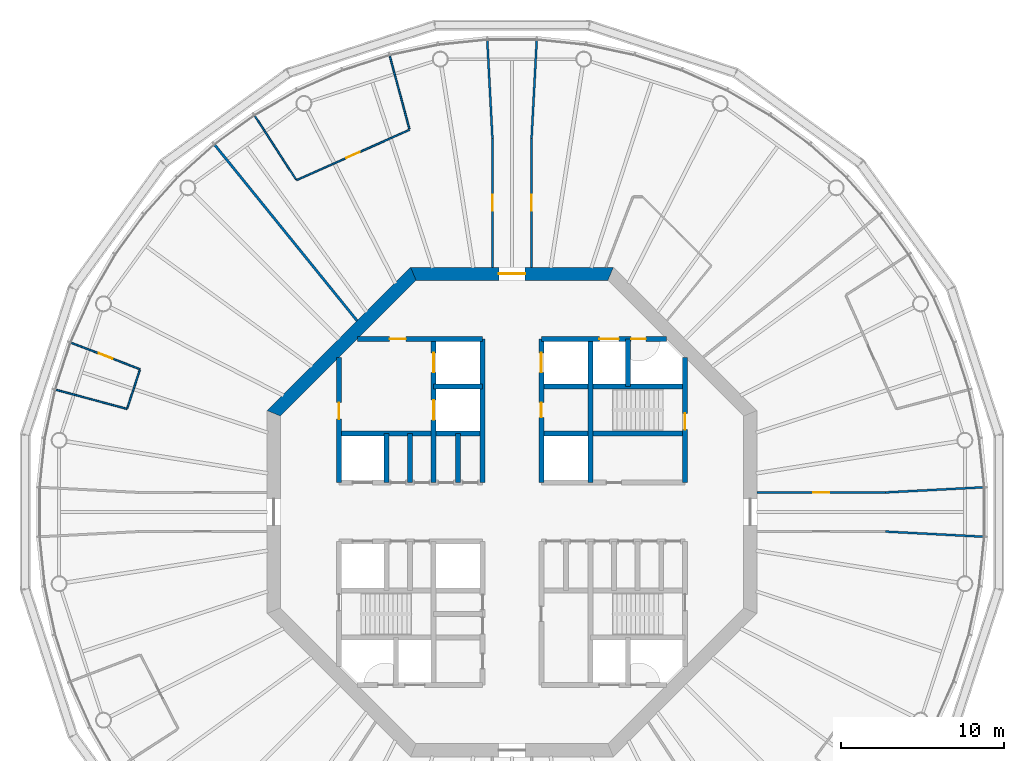
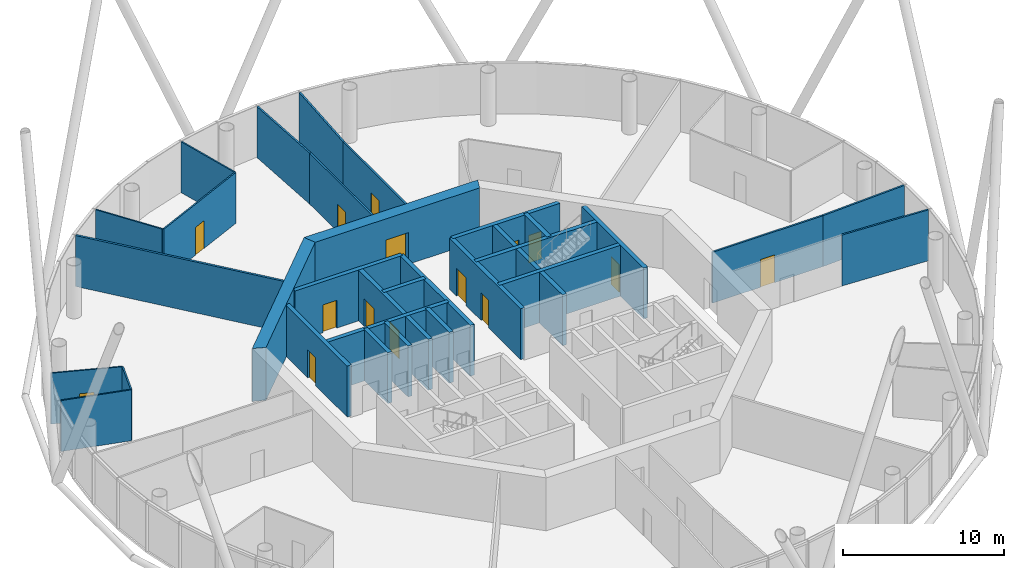
# One storey, part 5 of 13: 32 walls, 15 doors, 15 openings.
"""IFC4 building model written with IfcOpenShell, lengths in metres."""

from ifc_helpers import new_model, si_unit, direction, frame, frame_2d, origin, place, context, subcontext, project, spatial, polyline, rectangle, outline, extrude, material, layer, layer_set, type_object, element, fill, save


model = new_model("IFC4")

# Units and contexts
model_context = context("Model", 3, precision=1e-05, world=origin(), true_north=direction((0.0, 1.0)))
body_context = subcontext(model_context, "Body", "Model", "MODEL_VIEW")
ifc_project = project(units=[si_unit("LENGTHUNIT", "METRE"), si_unit("AREAUNIT", "SQUARE_METRE"), si_unit("VOLUMEUNIT", "CUBIC_METRE"), si_unit("PLANEANGLEUNIT", "RADIAN"), si_unit("MASSUNIT", "GRAM", prefix="KILO")], contexts=[model_context])

# Site, building, storey
site_placement = place(None, origin())
site = spatial("IfcSite", under=ifc_project, at=site_placement, CompositionType="ELEMENT")
building_placement = place(site_placement, origin())
building = spatial("IfcBuilding", under=site, at=building_placement, Name="Entoto Ring Tower", CompositionType="ELEMENT")
storey_placement = place(building_placement, frame((0.0, 0.0, 310.0)))
storey = spatial("IfcBuildingStorey", under=building, at=storey_placement, Name="L71", CompositionType="ELEMENT", Elevation=310.0)

# Wall, opening, door
ifc_material_1 = material(Name="Concrete C40/50", Category="concrete")
ifc_layer_1 = layer(ifc_material_1, 0.300048828125)
ifc_layer_set_1 = layer_set([ifc_layer_1], Name="Concrete C40/50")
wall_type_1 = type_object("IfcWallType", Name="Core enclosure wall 300 mm reinforced concrete", PredefinedType="SOLIDWALL", material=ifc_layer_set_1)
wall_1_placement = place(storey_placement, frame((100.60009765625, 81.800048828125, 0.0), z_axis=(0.0, 0.0, 1.0), x_axis=(0.0, 1.0, 0.0)))
wall_1 = element("IfcWall", 1, at=wall_1_placement, inside=storey, type_object=wall_type_1, Name="wall-L71-002", PredefinedType="SOLIDWALL", context=body_context, shape_type="SweptSolid", body=[
    extrude(rectangle(XDim=7.681640625, YDim=0.300048828125, at=frame_2d((3.8408203125, 0.0))), origin(), (0.0, 0.0, 1.0), 3.85009765625),
])
opening_1_placement = place(wall_1_placement, frame((3.25, 0.0, 0.0)))
opening_1 = element("IfcOpeningElement", 2, at=opening_1_placement, cuts=wall_1, Name="Opening K-29", PredefinedType="OPENING", context=body_context, shape_type="SweptSolid", body=[
    extrude(rectangle(XDim=1.0, YDim=2.10009765625, at=frame_2d((0.5, 1.050048828125))), frame((0.0, 0.16015625, 0.0), z_axis=(0.0, -1.0, 0.0), x_axis=(1.0, 0.0, 0.0)), (0.0, 0.0, 1.0), 0.320068359375),
])
ifc_material_2 = material(Name="Steel door leaf, fire rated", Category="steel")
ifc_layer_2 = layer(ifc_material_2, 0.050048828125)
ifc_layer_set_2 = layer_set([ifc_layer_2], Name="Steel door leaf, fire rated")
door_type_1 = type_object("IfcDoorType", Name="Fire door FD60 1000 x 2100 single leaf", OperationType="NOTDEFINED", PredefinedType="DOOR", material=ifc_layer_set_2)
door_1_placement = place(opening_1_placement, origin())
door_1 = element("IfcDoor", 3, at=door_1_placement, inside=storey, type_object=door_type_1, Name="Door K-29", OperationType="SINGLE_SWING_LEFT", OverallHeight=2.10009765625, OverallWidth=1.0, PredefinedType="DOOR", context=body_context, shape_type="SweptSolid", body=[
    extrude(rectangle(XDim=1.0, YDim=2.10009765625, at=frame_2d((0.5, 1.050048828125))), frame((0.0, 0.02490234375, 0.0), z_axis=(0.0, -1.0, 0.0), x_axis=(1.0, 0.0, 0.0)), (0.0, 0.0, 1.0), 0.050048828125),
])
fill(opening_1, door_1)

# Walls
wall_2_placement = place(storey_placement, frame((97.10009765625, 87.699951171875, 0.0), z_axis=(0.0, 0.0, 1.0), x_axis=(0.0, 1.0, 0.0)))
element("IfcWall", 4, at=wall_2_placement, inside=storey, type_object=wall_type_1, Name="wall-L71-006", PredefinedType="SOLIDWALL", context=body_context, shape_type="SweptSolid", body=[
    extrude(rectangle(XDim=2.900146484375, YDim=0.300048828125, at=frame_2d((1.4501953125, 0.0))), origin(), (0.0, 0.0, 1.0), 3.85009765625),
])
wall_3_placement = place(storey_placement, frame((94.800048828125, 81.800048828125, 0.0), z_axis=(0.0, 0.0, 1.0), x_axis=(0.0, 1.0, 0.0)))
element("IfcWall", 5, at=wall_3_placement, inside=storey, type_object=wall_type_1, Name="wall-L71-009", PredefinedType="SOLIDWALL", context=body_context, shape_type="SweptSolid", body=[
    extrude(rectangle(XDim=8.800048828125, YDim=0.300048828125, at=frame_2d((4.39990234375, 0.0))), origin(), (0.0, 0.0, 1.0), 3.85009765625),
])

# Wall, openings, doors
wall_4_placement = place(storey_placement, frame((91.800048828125, 81.800048828125, 0.0), z_axis=(0.0, 0.0, 1.0), x_axis=(0.0, 1.0, 0.0)))
wall_4 = element("IfcWall", 6, at=wall_4_placement, inside=storey, type_object=wall_type_1, Name="wall-L71-012", PredefinedType="SOLIDWALL", context=body_context, shape_type="SweptSolid", body=[
    extrude(rectangle(XDim=8.800048828125, YDim=0.300048828125, at=frame_2d((4.39990234375, 0.0))), origin(), (0.0, 0.0, 1.0), 3.85009765625),
])
opening_2_placement = place(wall_4_placement, frame((6.75, 0.0, 0.0)))
opening_2 = element("IfcOpeningElement", 7, at=opening_2_placement, cuts=wall_4, Name="Opening LD", PredefinedType="OPENING", context=body_context, shape_type="SweptSolid", body=[
    extrude(rectangle(XDim=1.199951171875, YDim=2.10009765625, at=frame_2d((0.60009765625, 1.050048828125))), frame((0.0, 0.16015625, 0.0), z_axis=(0.0, -1.0, 0.0), x_axis=(1.0, 0.0, 0.0)), (0.0, 0.0, 1.0), 0.320068359375),
])
opening_3_placement = place(wall_4_placement, frame((4.0, 0.0, 0.0)))
opening_3 = element("IfcOpeningElement", 8, at=opening_3_placement, cuts=wall_4, Name="Opening K-63", PredefinedType="OPENING", context=body_context, shape_type="SweptSolid", body=[
    extrude(rectangle(XDim=0.89990234375, YDim=2.10009765625, at=frame_2d((0.449951171875, 1.050048828125))), frame((0.0, 0.16015625, 0.0), z_axis=(0.0, -1.0, 0.0), x_axis=(1.0, 0.0, 0.0)), (0.0, 0.0, 1.0), 0.320068359375),
])
ifc_material_3 = material(Name="Steel door leaf, fire rated", Category="steel")
ifc_layer_3 = layer(ifc_material_3, 0.050048828125)
ifc_layer_set_3 = layer_set([ifc_layer_3], Name="Steel door leaf, fire rated")
door_type_2 = type_object("IfcDoorType", Name="Core door 900 x 2100 single leaf", OperationType="NOTDEFINED", PredefinedType="DOOR", material=ifc_layer_set_3)
door_2_placement = place(opening_3_placement, frame((0.89990234375, 0.0, 0.0), z_axis=(0.0, 0.0, 1.0), x_axis=(-1.0, 0.0, 0.0)))
door_2 = element("IfcDoor", 9, at=door_2_placement, inside=storey, type_object=door_type_2, Name="Door K-63", OperationType="SINGLE_SWING_RIGHT", OverallHeight=2.10009765625, OverallWidth=0.89990234375, PredefinedType="DOOR", context=body_context, shape_type="SweptSolid", body=[
    extrude(rectangle(XDim=0.89990234375, YDim=2.10009765625, at=frame_2d((0.449951171875, 1.050048828125))), frame((0.0, 0.02490234375, 0.0), z_axis=(0.0, -1.0, 0.0), x_axis=(1.0, 0.0, 0.0)), (0.0, 0.0, 1.0), 0.050048828125),
])
fill(opening_3, door_2)
ifc_material_4 = material(Name="Steel and glass door leaf", Category="steel")
ifc_layer_4 = layer(ifc_material_4, 0.050048828125)
ifc_layer_set_4 = layer_set([ifc_layer_4], Name="Steel and glass door leaf")
door_type_3 = type_object("IfcDoorType", Name="Landing door 1200 x 2100 sliding", OperationType="DOUBLE_DOOR_SLIDING", PredefinedType="DOOR", material=ifc_layer_set_4)
door_3_placement = place(opening_2_placement, origin())
door_3 = element("IfcDoor", 10, at=door_3_placement, inside=storey, type_object=door_type_3, Name="Landing door SH3", OperationType="SLIDING_TO_RIGHT", OverallHeight=2.10009765625, OverallWidth=1.199951171875, PredefinedType="DOOR", context=body_context, shape_type="SweptSolid", body=[
    extrude(rectangle(XDim=1.199951171875, YDim=2.10009765625, at=frame_2d((0.60009765625, 1.050048828125))), frame((0.0, 0.02490234375, 0.0), z_axis=(0.0, -1.0, 0.0), x_axis=(1.0, 0.0, 0.0)), (0.0, 0.0, 1.0), 0.050048828125),
])
fill(opening_2, door_3)

# Walls
wall_5_placement = place(storey_placement, frame((88.199951171875, 81.800048828125, 0.0), z_axis=(0.0, 0.0, 1.0), x_axis=(0.0, 1.0, 0.0)))
element("IfcWall", 11, at=wall_5_placement, inside=storey, type_object=wall_type_1, Name="wall-L71-014", PredefinedType="SOLIDWALL", context=body_context, shape_type="SweptSolid", body=[
    extrude(rectangle(XDim=8.800048828125, YDim=0.300048828125, at=frame_2d((4.39990234375, 0.0))), origin(), (0.0, 0.0, 1.0), 3.85009765625),
])
wall_6_placement = place(storey_placement, frame((86.699951171875, 81.800048828125, 0.0), z_axis=(0.0, 0.0, 1.0), x_axis=(0.0, 1.0, 0.0)))
element("IfcWall", 12, at=wall_6_placement, inside=storey, type_object=wall_type_1, Name="wall-L71-015", PredefinedType="SOLIDWALL", context=body_context, shape_type="SweptSolid", body=[
    extrude(rectangle(XDim=3.0, YDim=0.300048828125, at=frame_2d((1.5, 0.0))), origin(), (0.0, 0.0, 1.0), 3.85009765625),
])

# Wall, openings, doors
wall_7_placement = place(storey_placement, frame((85.199951171875, 81.800048828125, 0.0), z_axis=(0.0, 0.0, 1.0), x_axis=(0.0, 1.0, 0.0)))
wall_7 = element("IfcWall", 13, at=wall_7_placement, inside=storey, type_object=wall_type_1, Name="wall-L71-017", PredefinedType="SOLIDWALL", context=body_context, shape_type="SweptSolid", body=[
    extrude(rectangle(XDim=8.800048828125, YDim=0.300048828125, at=frame_2d((4.39990234375, 0.0))), origin(), (0.0, 0.0, 1.0), 3.85009765625),
])
opening_4_placement = place(wall_7_placement, frame((3.85009765625, 0.0, 0.0)))
opening_4 = element("IfcOpeningElement", 14, at=opening_4_placement, cuts=wall_7, Name="Opening LD", PredefinedType="OPENING", context=body_context, shape_type="SweptSolid", body=[
    extrude(rectangle(XDim=1.199951171875, YDim=2.10009765625, at=frame_2d((0.60009765625, 1.050048828125))), frame((0.0, 0.16015625, 0.0), z_axis=(0.0, -1.0, 0.0), x_axis=(1.0, 0.0, 0.0)), (0.0, 0.0, 1.0), 0.320068359375),
])
opening_5_placement = place(wall_7_placement, frame((6.75, 0.0, 0.0)))
opening_5 = element("IfcOpeningElement", 15, at=opening_5_placement, cuts=wall_7, Name="Opening LD", PredefinedType="OPENING", context=body_context, shape_type="SweptSolid", body=[
    extrude(rectangle(XDim=1.199951171875, YDim=2.10009765625, at=frame_2d((0.60009765625, 1.050048828125))), frame((0.0, 0.16015625, 0.0), z_axis=(0.0, -1.0, 0.0), x_axis=(1.0, 0.0, 0.0)), (0.0, 0.0, 1.0), 0.320068359375),
])
door_4_placement = place(opening_4_placement, origin())
door_4 = element("IfcDoor", 16, at=door_4_placement, inside=storey, type_object=door_type_3, Name="Landing door FF1", OperationType="SLIDING_TO_RIGHT", OverallHeight=2.10009765625, OverallWidth=1.199951171875, PredefinedType="DOOR", context=body_context, shape_type="SweptSolid", body=[
    extrude(rectangle(XDim=1.199951171875, YDim=2.10009765625, at=frame_2d((0.60009765625, 1.050048828125))), frame((0.0, 0.02490234375, 0.0), z_axis=(0.0, -1.0, 0.0), x_axis=(1.0, 0.0, 0.0)), (0.0, 0.0, 1.0), 0.050048828125),
])
fill(opening_4, door_4)
door_5_placement = place(opening_5_placement, origin())
door_5 = element("IfcDoor", 17, at=door_5_placement, inside=storey, type_object=door_type_3, Name="Landing door FF2", OperationType="SLIDING_TO_RIGHT", OverallHeight=2.10009765625, OverallWidth=1.199951171875, PredefinedType="DOOR", context=body_context, shape_type="SweptSolid", body=[
    extrude(rectangle(XDim=1.199951171875, YDim=2.10009765625, at=frame_2d((0.60009765625, 1.050048828125))), frame((0.0, 0.02490234375, 0.0), z_axis=(0.0, -1.0, 0.0), x_axis=(1.0, 0.0, 0.0)), (0.0, 0.0, 1.0), 0.050048828125),
])
fill(opening_5, door_5)

# Walls
for number, where, z_axis, x_axis, name in (
    (18, (83.75, 81.800048828125, 0.0), (0.0, 0.0, 1.0), (0.0, 1.0, 0.0), "wall-L71-019"),
    (19, (82.300048828125, 81.800048828125, 0.0), (0.0, 0.0, 1.0), (0.0, 1.0, 0.0), "wall-L71-022"),
):
    element("IfcWall", number, at=place(storey_placement, frame(where, z_axis=z_axis, x_axis=x_axis)), inside=storey, type_object=wall_type_1, Name=name, PredefinedType="SOLIDWALL", context=body_context, shape_type="SweptSolid", body=[
        extrude(rectangle(XDim=3.0, YDim=0.300048828125, at=frame_2d((1.5, 0.0))), origin(), (0.0, 0.0, 1.0), 3.85009765625),
    ])

# Wall, opening, door
wall_8_placement = place(storey_placement, frame((79.39990234375, 81.800048828125, 0.0), z_axis=(0.0, 0.0, 1.0), x_axis=(0.0, 1.0, 0.0)))
wall_8 = element("IfcWall", 20, at=wall_8_placement, inside=storey, type_object=wall_type_1, Name="wall-L71-024", PredefinedType="SOLIDWALL", context=body_context, shape_type="SweptSolid", body=[
    extrude(rectangle(XDim=7.681640625, YDim=0.300048828125, at=frame_2d((3.8408203125, 0.0))), origin(), (0.0, 0.0, 1.0), 3.85009765625),
])
opening_6_placement = place(wall_8_placement, frame((3.89990234375, 0.0, 0.0)))
opening_6 = element("IfcOpeningElement", 21, at=opening_6_placement, cuts=wall_8, Name="Opening K-35", PredefinedType="OPENING", context=body_context, shape_type="SweptSolid", body=[
    extrude(rectangle(XDim=1.0, YDim=2.10009765625, at=frame_2d((0.5, 1.050048828125))), frame((0.0, 0.16015625, 0.0), z_axis=(0.0, -1.0, 0.0), x_axis=(1.0, 0.0, 0.0)), (0.0, 0.0, 1.0), 0.320068359375),
])
door_6_placement = place(opening_6_placement, frame((1.0, 0.0, 0.0), z_axis=(0.0, 0.0, 1.0), x_axis=(-1.0, 0.0, 0.0)))
door_6 = element("IfcDoor", 22, at=door_6_placement, inside=storey, type_object=door_type_1, Name="Door K-35", OperationType="SINGLE_SWING_RIGHT", OverallHeight=2.10009765625, OverallWidth=1.0, PredefinedType="DOOR", context=body_context, shape_type="SweptSolid", body=[
    extrude(rectangle(XDim=1.0, YDim=2.10009765625, at=frame_2d((0.5, 1.050048828125))), frame((0.0, 0.02490234375, 0.0), z_axis=(0.0, -1.0, 0.0), x_axis=(1.0, 0.0, 0.0)), (0.0, 0.0, 1.0), 0.050048828125),
])
fill(opening_6, door_6)

# Walls
for number, where, z_axis, x_axis, name in (
    (23, (79.39990234375, 84.800048828125, 0.0), (0.0, 0.0, 1.0), (1.0, 0.0, 0.0), "wall-L71-036"),
    (24, (91.800048828125, 84.800048828125, 0.0), (0.0, 0.0, 1.0), (1.0, 0.0, 0.0), "wall-L71-037"),
):
    element("IfcWall", number, at=place(storey_placement, frame(where, z_axis=z_axis, x_axis=x_axis)), inside=storey, type_object=wall_type_1, Name=name, PredefinedType="SOLIDWALL", context=body_context, shape_type="SweptSolid", body=[
        extrude(rectangle(XDim=8.800048828125, YDim=0.300048828125, at=frame_2d((4.39990234375, 0.0))), origin(), (0.0, 0.0, 1.0), 3.85009765625),
    ])
wall_9_placement = place(storey_placement, frame((85.199951171875, 87.699951171875, 0.0), z_axis=(0.0, 0.0, 1.0), x_axis=(1.0, 0.0, 0.0)))
element("IfcWall", 25, at=wall_9_placement, inside=storey, type_object=wall_type_1, Name="wall-L71-038", PredefinedType="SOLIDWALL", context=body_context, shape_type="SweptSolid", body=[
    extrude(rectangle(XDim=3.0, YDim=0.300048828125, at=frame_2d((1.5, 0.0))), origin(), (0.0, 0.0, 1.0), 3.85009765625),
])
wall_10_placement = place(storey_placement, frame((91.800048828125, 87.699951171875, 0.0), z_axis=(0.0, 0.0, 1.0), x_axis=(1.0, 0.0, 0.0)))
element("IfcWall", 26, at=wall_10_placement, inside=storey, type_object=wall_type_1, Name="wall-L71-039", PredefinedType="SOLIDWALL", context=body_context, shape_type="SweptSolid", body=[
    extrude(rectangle(XDim=8.800048828125, YDim=0.300048828125, at=frame_2d((4.39990234375, 0.0))), origin(), (0.0, 0.0, 1.0), 3.85009765625),
])

# Wall, opening, door
wall_11_placement = place(storey_placement, frame((80.518310546875, 90.60009765625, 0.0), z_axis=(0.0, 0.0, 1.0), x_axis=(1.0, 0.0, 0.0)))
wall_11 = element("IfcWall", 27, at=wall_11_placement, inside=storey, type_object=wall_type_1, Name="wall-L71-040", PredefinedType="SOLIDWALL", context=body_context, shape_type="SweptSolid", body=[
    extrude(rectangle(XDim=7.681640625, YDim=0.300048828125, at=frame_2d((3.8408203125, 0.0))), origin(), (0.0, 0.0, 1.0), 3.85009765625),
])
opening_7_placement = place(wall_11_placement, frame((1.981689453125, 0.0, 0.0)))
opening_7 = element("IfcOpeningElement", 28, at=opening_7_placement, cuts=wall_11, Name="Opening K-36", PredefinedType="OPENING", context=body_context, shape_type="SweptSolid", body=[
    extrude(rectangle(XDim=1.0, YDim=2.10009765625, at=frame_2d((0.5, 1.050048828125))), frame((0.0, 0.16015625, 0.0), z_axis=(0.0, -1.0, 0.0), x_axis=(1.0, 0.0, 0.0)), (0.0, 0.0, 1.0), 0.320068359375),
])
door_7_placement = place(opening_7_placement, frame((1.0, 0.0, 0.0), z_axis=(0.0, 0.0, 1.0), x_axis=(-1.0, 0.0, 0.0)))
door_7 = element("IfcDoor", 29, at=door_7_placement, inside=storey, type_object=door_type_1, Name="Door K-36", OperationType="SINGLE_SWING_LEFT", OverallHeight=2.10009765625, OverallWidth=1.0, PredefinedType="DOOR", context=body_context, shape_type="SweptSolid", body=[
    extrude(rectangle(XDim=1.0, YDim=2.10009765625, at=frame_2d((0.5, 1.050048828125))), frame((0.0, 0.02490234375, 0.0), z_axis=(0.0, -1.0, 0.0), x_axis=(1.0, 0.0, 0.0)), (0.0, 0.0, 1.0), 0.050048828125),
])
fill(opening_7, door_7)

# Wall, openings, doors
wall_12_placement = place(storey_placement, frame((91.800048828125, 90.60009765625, 0.0), z_axis=(0.0, 0.0, 1.0), x_axis=(1.0, 0.0, 0.0)))
wall_12 = element("IfcWall", 30, at=wall_12_placement, inside=storey, type_object=wall_type_1, Name="wall-L71-041", PredefinedType="SOLIDWALL", context=body_context, shape_type="SweptSolid", body=[
    extrude(rectangle(XDim=7.681640625, YDim=0.300048828125, at=frame_2d((3.8408203125, 0.0))), origin(), (0.0, 0.0, 1.0), 3.85009765625),
])
opening_8_placement = place(wall_12_placement, frame((3.550048828125, 0.0, 0.0)))
opening_8 = element("IfcOpeningElement", 31, at=opening_8_placement, cuts=wall_12, Name="Opening LD", PredefinedType="OPENING", context=body_context, shape_type="SweptSolid", body=[
    extrude(rectangle(XDim=1.199951171875, YDim=2.10009765625, at=frame_2d((0.60009765625, 1.050048828125))), frame((0.0, 0.16015625, 0.0), z_axis=(0.0, -1.0, 0.0), x_axis=(1.0, 0.0, 0.0)), (0.0, 0.0, 1.0), 0.320068359375),
])
opening_9_placement = place(wall_12_placement, frame((5.5, 0.0, 0.0)))
opening_9 = element("IfcOpeningElement", 32, at=opening_9_placement, cuts=wall_12, Name="Opening K-32", PredefinedType="OPENING", context=body_context, shape_type="SweptSolid", body=[
    extrude(rectangle(XDim=0.89990234375, YDim=2.10009765625, at=frame_2d((0.449951171875, 1.050048828125))), frame((0.0, 0.16015625, 0.0), z_axis=(0.0, -1.0, 0.0), x_axis=(1.0, 0.0, 0.0)), (0.0, 0.0, 1.0), 0.320068359375),
])
door_8_placement = place(opening_8_placement, origin())
door_8 = element("IfcDoor", 33, at=door_8_placement, inside=storey, type_object=door_type_3, Name="Landing door LB1-HR", OperationType="SLIDING_TO_RIGHT", OverallHeight=2.10009765625, OverallWidth=1.199951171875, PredefinedType="DOOR", context=body_context, shape_type="SweptSolid", body=[
    extrude(rectangle(XDim=1.199951171875, YDim=2.10009765625, at=frame_2d((0.60009765625, 1.050048828125))), frame((0.0, 0.02490234375, 0.0), z_axis=(0.0, -1.0, 0.0), x_axis=(1.0, 0.0, 0.0)), (0.0, 0.0, 1.0), 0.050048828125),
])
fill(opening_8, door_8)
ifc_material_5 = material(Name="Steel door leaf, fire rated", Category="steel")
ifc_layer_5 = layer(ifc_material_5, 0.050048828125)
ifc_layer_set_5 = layer_set([ifc_layer_5], Name="Steel door leaf, fire rated")
door_type_4 = type_object("IfcDoorType", Name="Riser door FD60 900 x 2100 single leaf", OperationType="NOTDEFINED", PredefinedType="DOOR", material=ifc_layer_set_5)
door_9_placement = place(opening_9_placement, frame((0.89990234375, 0.0, 0.0), z_axis=(0.0, 0.0, 1.0), x_axis=(-1.0, 0.0, 0.0)))
door_9 = element("IfcDoor", 34, at=door_9_placement, inside=storey, type_object=door_type_4, Name="Door K-32", OperationType="SINGLE_SWING_RIGHT", OverallHeight=2.10009765625, OverallWidth=0.89990234375, PredefinedType="DOOR", context=body_context, shape_type="SweptSolid", body=[
    extrude(rectangle(XDim=0.89990234375, YDim=2.10009765625, at=frame_2d((0.449951171875, 1.050048828125))), frame((0.0, 0.02490234375, 0.0), z_axis=(0.0, -1.0, 0.0), x_axis=(1.0, 0.0, 0.0)), (0.0, 0.0, 1.0), 0.050048828125),
])
fill(opening_9, door_9)

# Wall, opening, door
ifc_material_6 = material(Name="Concrete C40/50", Category="concrete")
ifc_layer_6 = layer(ifc_material_6, 0.800048828125)
ifc_layer_set_6 = layer_set([ifc_layer_6], Name="Concrete C40/50")
wall_type_2 = type_object("IfcWallType", Name="Core shear wall 800 mm reinforced concrete C40/50", PredefinedType="SHEAR", material=ifc_layer_set_6)
wall_13_placement = place(storey_placement, frame((96.047607421875, 94.60009765625, 0.0), z_axis=(0.0, 0.0, 1.0), x_axis=(-1.0, 0.0, 0.0)))
wall_13 = element("IfcWall", 35, at=wall_13_placement, inside=storey, type_object=wall_type_2, Name="wall-L71-core-2", PredefinedType="SHEAR", context=body_context, shape_type="SweptSolid", body=[
    extrude(outline(polyline([(-0.165771484375, -0.39990234375), (12.260986328125, -0.39990234375), (11.929443359375, 0.39990234375), (0.165771484375, 0.39990234375), (-0.165771484375, -0.39990234375)])), origin(), (0.0, 0.0, 1.0), 4.0),
])
opening_10_placement = place(wall_13_placement, frame((5.24755859375, 0.0, 0.0)))
opening_10 = element("IfcOpeningElement", 36, at=opening_10_placement, cuts=wall_13, Name="Opening K-02", PredefinedType="OPENING", context=body_context, shape_type="SweptSolid", body=[
    extrude(rectangle(XDim=1.60009765625, YDim=2.39990234375, at=frame_2d((0.800048828125, 1.199951171875))), frame((0.0, 0.41015625, 0.0), z_axis=(0.0, -1.0, 0.0), x_axis=(1.0, 0.0, 0.0)), (0.0, 0.0, 1.0), 0.820068359375),
])
ifc_material_7 = material(Name="Steel door leaf, fire rated", Category="steel")
ifc_layer_7 = layer(ifc_material_7, 0.050048828125)
ifc_layer_set_7 = layer_set([ifc_layer_7], Name="Steel door leaf, fire rated")
door_type_5 = type_object("IfcDoorType", Name="Entrance door FD60 1600 x 2400 double leaf", OperationType="DOUBLE_DOOR_SINGLE_SWING", PredefinedType="DOOR", material=ifc_layer_set_7)
door_10_placement = place(opening_10_placement, origin())
door_10 = element("IfcDoor", 37, at=door_10_placement, inside=storey, type_object=door_type_5, Name="Entrance door K-02", OperationType="DOUBLE_DOOR_SINGLE_SWING", OverallHeight=2.39990234375, OverallWidth=1.60009765625, PredefinedType="DOOR", context=body_context, shape_type="SweptSolid", body=[
    extrude(rectangle(XDim=1.60009765625, YDim=2.39990234375, at=frame_2d((0.800048828125, 1.199951171875))), frame((0.0, 0.02490234375, 0.0), z_axis=(0.0, -1.0, 0.0), x_axis=(1.0, 0.0, 0.0)), (0.0, 0.0, 1.0), 0.050048828125),
])
fill(opening_10, door_10)

# Wall
wall_14_placement = place(storey_placement, frame((83.952392578125, 94.60009765625, 0.0), z_axis=(0.0, 0.0, 1.0), x_axis=(-0.707106781187, -0.707106781187, 0.0)))
element("IfcWall", 38, at=wall_14_placement, inside=storey, type_object=wall_type_2, Name="wall-L71-core-3", PredefinedType="SHEAR", context=body_context, shape_type="SweptSolid", body=[
    extrude(outline(polyline([(-0.165771484375, -0.39990234375), (12.2607421875, -0.39990234375), (11.92919921875, 0.39990234375), (0.165771484375, 0.39990234375), (-0.165771484375, -0.39990234375)])), origin(), (0.0, 0.0, 1.0), 4.0),
])

# Wall, opening, door
ifc_material_8 = material(Name="Fire-resisting plasterboard on steel studs", Category="steel")
ifc_layer_8 = layer(ifc_material_8, 0.125)
ifc_layer_set_8 = layer_set([ifc_layer_8], Name="Fire-resisting plasterboard on steel studs")
wall_type_3 = type_object("IfcWallType", Name="Corridor wall 125 mm one-hour plasterboard on steel studs", PredefinedType="PARTITIONING", material=ifc_layer_set_8)
wall_15_placement = place(storey_placement, frame((88.800048828125, 95.0, 0.0), z_axis=(0.0, 0.0, 1.0), x_axis=(0.0, 1.0, 0.0)))
wall_15 = element("IfcWall", 39, at=wall_15_placement, inside=storey, type_object=wall_type_3, Name="partition-L71-004", PredefinedType="PARTITIONING", context=body_context, shape_type="SweptSolid", body=[
    extrude(rectangle(XDim=7.8974609375, YDim=0.125, at=frame_2d((3.94873046875, 0.0))), origin(), (0.0, 0.0, 1.0), 3.85009765625),
])
opening_11_placement = place(wall_15_placement, frame((3.44873046875, 0.0, 0.0)))
opening_11 = element("IfcOpeningElement", 40, at=opening_11_placement, cuts=wall_15, Name="Opening A31-D05", PredefinedType="OPENING", context=body_context, shape_type="SweptSolid", body=[
    extrude(rectangle(XDim=1.0, YDim=2.10009765625, at=frame_2d((0.5, 1.050048828125))), frame((0.0, 0.072509765625, 0.0), z_axis=(0.0, -1.0, 0.0), x_axis=(1.0, 0.0, 0.0)), (0.0, 0.0, 1.0), 0.14501953125),
])
ifc_material_9 = material(Name="Fire-resisting timber door set", Category="wood")
door_type_6 = type_object("IfcDoorType", Name="Door 1000 x 2100 single leaf FD30S fire door", OperationType="NOTDEFINED", PredefinedType="DOOR", material=ifc_material_9)
door_11_placement = place(opening_11_placement, origin())
door_11 = element("IfcDoor", 41, at=door_11_placement, inside=storey, type_object=door_type_6, Name="Door A31-D05", OperationType="SINGLE_SWING_LEFT", OverallHeight=2.10009765625, OverallWidth=1.0, PredefinedType="DOOR", context=body_context, shape_type="SweptSolid", body=[
    extrude(rectangle(XDim=1.0, YDim=2.10009765625, at=frame_2d((0.5, 1.050048828125))), frame((0.0, 0.02490234375, 0.0), z_axis=(0.0, -1.0, 0.0), x_axis=(1.0, 0.0, 0.0)), (0.0, 0.0, 1.0), 0.050048828125),
])
fill(opening_11, door_11)

wall_16_placement = place(storey_placement, frame((91.199951171875, 95.0, 0.0), z_axis=(0.0, 0.0, 1.0), x_axis=(0.0, 1.0, 0.0)))
wall_16 = element("IfcWall", 42, at=wall_16_placement, inside=storey, type_object=wall_type_3, Name="partition-L71-006", PredefinedType="PARTITIONING", context=body_context, shape_type="SweptSolid", body=[
    extrude(rectangle(XDim=7.8974609375, YDim=0.125, at=frame_2d((3.94873046875, 0.0))), origin(), (0.0, 0.0, 1.0), 3.85009765625),
])
opening_12_placement = place(wall_16_placement, frame((3.44873046875, 0.0, 0.0)))
opening_12 = element("IfcOpeningElement", 43, at=opening_12_placement, cuts=wall_16, Name="Opening A31-D03", PredefinedType="OPENING", context=body_context, shape_type="SweptSolid", body=[
    extrude(rectangle(XDim=1.0, YDim=2.10009765625, at=frame_2d((0.5, 1.050048828125))), frame((0.0, 0.072509765625, 0.0), z_axis=(0.0, -1.0, 0.0), x_axis=(1.0, 0.0, 0.0)), (0.0, 0.0, 1.0), 0.14501953125),
])
door_12_placement = place(opening_12_placement, frame((1.0, 0.0, 0.0), z_axis=(0.0, 0.0, 1.0), x_axis=(-1.0, 0.0, 0.0)))
door_12 = element("IfcDoor", 44, at=door_12_placement, inside=storey, type_object=door_type_6, Name="Door A31-D03", OperationType="SINGLE_SWING_RIGHT", OverallHeight=2.10009765625, OverallWidth=1.0, PredefinedType="DOOR", context=body_context, shape_type="SweptSolid", body=[
    extrude(rectangle(XDim=1.0, YDim=2.10009765625, at=frame_2d((0.5, 1.050048828125))), frame((0.0, 0.02490234375, 0.0), z_axis=(0.0, -1.0, 0.0), x_axis=(1.0, 0.0, 0.0)), (0.0, 0.0, 1.0), 0.050048828125),
])
fill(opening_12, door_12)

wall_17_placement = place(storey_placement, frame((105.0, 81.199951171875, 0.0), z_axis=(0.0, 0.0, 1.0), x_axis=(1.0, 0.0, 0.0)))
wall_17 = element("IfcWall", 45, at=wall_17_placement, inside=storey, type_object=wall_type_3, Name="partition-L71-008", PredefinedType="PARTITIONING", context=body_context, shape_type="SweptSolid", body=[
    extrude(rectangle(XDim=7.8974609375, YDim=0.125, at=frame_2d((3.94873046875, 0.0))), origin(), (0.0, 0.0, 1.0), 3.85009765625),
])
opening_13_placement = place(wall_17_placement, frame((3.44873046875, 0.0, 0.0)))
opening_13 = element("IfcOpeningElement", 46, at=opening_13_placement, cuts=wall_17, Name="Opening A31-D01", PredefinedType="OPENING", context=body_context, shape_type="SweptSolid", body=[
    extrude(rectangle(XDim=1.0, YDim=2.10009765625, at=frame_2d((0.5, 1.050048828125))), frame((0.0, 0.072509765625, 0.0), z_axis=(0.0, -1.0, 0.0), x_axis=(1.0, 0.0, 0.0)), (0.0, 0.0, 1.0), 0.14501953125),
])
door_13_placement = place(opening_13_placement, origin())
door_13 = element("IfcDoor", 47, at=door_13_placement, inside=storey, type_object=door_type_6, Name="Door A31-D01", OperationType="SINGLE_SWING_LEFT", OverallHeight=2.10009765625, OverallWidth=1.0, PredefinedType="DOOR", context=body_context, shape_type="SweptSolid", body=[
    extrude(rectangle(XDim=1.0, YDim=2.10009765625, at=frame_2d((0.5, 1.050048828125))), frame((0.0, 0.02490234375, 0.0), z_axis=(0.0, -1.0, 0.0), x_axis=(1.0, 0.0, 0.0)), (0.0, 0.0, 1.0), 0.050048828125),
])
fill(opening_13, door_13)

# Walls
for number, where, z_axis, x_axis, name in (
    (48, (88.7998046875, 102.900634765625, 0.0), (0.0, 0.0, 1.0), (-0.052339150565, 0.998629367342, 0.0), "partition-L71-012"),
    (49, (91.2001953125, 102.900634765625, 0.0), (0.0, 0.0, 1.0), (0.052339150565, 0.998629367342, 0.0), "partition-L71-013"),
    (50, (112.900634765625, 81.2001953125, 0.0), (0.0, 0.0, 1.0), (0.998629367342, 0.052339150565, 0.0), "partition-L71-015"),
    (51, (118.900390625, 78.4853515625, 0.0), (0.0, 0.0, 1.0), (-0.998629367342, 0.052339150565, 0.0), "partition-L71-016"),
):
    element("IfcWall", number, at=place(storey_placement, frame(where, z_axis=z_axis, x_axis=x_axis)), inside=storey, type_object=wall_type_3, Name=name, PredefinedType="PARTITIONING", context=body_context, shape_type="SweptSolid", body=[
        extrude(rectangle(XDim=6.008056640625, YDim=0.125, at=frame_2d((3.00390625, 0.0))), origin(), (0.0, 0.0, 1.0), 3.85009765625),
    ])

# Wall, opening, door
ifc_material_10 = material(Name="Plasterboard on steel studs", Category="steel")
ifc_layer_9 = layer(ifc_material_10, 0.10009765625)
ifc_layer_set_9 = layer_set([ifc_layer_9], Name="Plasterboard on steel studs")
wall_type_4 = type_object("IfcWallType", Name="Partition 100 mm plasterboard on steel studs", PredefinedType="PARTITIONING", material=ifc_layer_set_9)
wall_18_placement = place(storey_placement, frame((76.79248046875, 100.337890625, 0.0), z_axis=(0.0, 0.0, 1.0), x_axis=(0.913557920671, 0.406708649502, 0.0)))
wall_18 = element("IfcWall", 52, at=wall_18_placement, inside=storey, type_object=wall_type_4, Name="partition-L71-022", PredefinedType="PARTITIONING", context=body_context, shape_type="SweptSolid", body=[
    extrude(rectangle(XDim=7.5869140625, YDim=0.10009765625, at=frame_2d((3.79345703125, 0.0))), origin(), (0.0, 0.0, 1.0), 3.85009765625),
])
opening_14_placement = place(wall_18_placement, frame((3.343505859375, 0.0, 0.0)))
opening_14 = element("IfcOpeningElement", 53, at=opening_14_placement, cuts=wall_18, Name="Opening A31-D06", PredefinedType="OPENING", context=body_context, shape_type="SweptSolid", body=[
    extrude(rectangle(XDim=0.89990234375, YDim=2.10009765625, at=frame_2d((0.449951171875, 1.050048828125))), frame((0.0, 0.06005859375, 0.0), z_axis=(0.0, -1.0, 0.0), x_axis=(1.0, 0.0, 0.0)), (0.0, 0.0, 1.0), 0.1201171875),
])
ifc_material_11 = material(Name="Veneered timber door leaf in timber frame", Category="wood")
door_type_7 = type_object("IfcDoorType", Name="Door 900 x 2100 single leaf timber veneer", OperationType="NOTDEFINED", PredefinedType="DOOR", material=ifc_material_11)
door_14_placement = place(opening_14_placement, origin())
door_14 = element("IfcDoor", 54, at=door_14_placement, inside=storey, type_object=door_type_7, Name="Door A31-D06", OperationType="SINGLE_SWING_LEFT", OverallHeight=2.10009765625, OverallWidth=0.89990234375, PredefinedType="DOOR", context=body_context, shape_type="SweptSolid", body=[
    extrude(rectangle(XDim=0.89990234375, YDim=2.10009765625, at=frame_2d((0.449951171875, 1.050048828125))), frame((0.0, 0.02490234375, 0.0), z_axis=(0.0, -1.0, 0.0), x_axis=(1.0, 0.0, 0.0)), (0.0, 0.0, 1.0), 0.050048828125),
])
fill(opening_14, door_14)

# Walls
wall_19_placement = place(storey_placement, frame((76.765625, 100.379150390625, 0.0), z_axis=(0.0, 0.0, 1.0), x_axis=(-0.544668399465, 0.838651497718, 0.0)))
element("IfcWall", 55, at=wall_19_placement, inside=storey, type_object=wall_type_4, Name="partition-L71-027", PredefinedType="PARTITIONING", context=body_context, shape_type="SweptSolid", body=[
    extrude(rectangle(XDim=4.640625, YDim=0.10009765625, at=frame_2d((2.3203125, 0.0))), origin(), (0.0, 0.0, 1.0), 3.85009765625),
])
wall_20_placement = place(storey_placement, frame((83.7109375, 103.47119140625, 0.0), z_axis=(0.0, 0.0, 1.0), x_axis=(-0.258828119506, 0.965923394764, 0.0)))
element("IfcWall", 56, at=wall_20_placement, inside=storey, type_object=wall_type_4, Name="partition-L71-028", PredefinedType="PARTITIONING", context=body_context, shape_type="SweptSolid", body=[
    extrude(rectangle(XDim=4.640869140625, YDim=0.10009765625, at=frame_2d((2.3203125, 0.0))), origin(), (0.0, 0.0, 1.0), 3.85009765625),
])

# Wall, opening, door
wall_21_placement = place(storey_placement, frame((67.201904296875, 88.751220703125, 0.0), z_axis=(0.0, 0.0, 1.0), x_axis=(-0.933575113142, 0.358381791003, 0.0)))
wall_21 = element("IfcWall", 57, at=wall_21_placement, inside=storey, type_object=wall_type_4, Name="partition-L71-034", PredefinedType="PARTITIONING", context=body_context, shape_type="SweptSolid", body=[
    extrude(rectangle(XDim=4.52001953125, YDim=0.10009765625, at=frame_2d((2.260009765625, 0.0))), origin(), (0.0, 0.0, 1.0), 3.85009765625),
])
opening_15_placement = place(wall_21_placement, frame((1.81005859375, 0.0, 0.0)))
opening_15 = element("IfcOpeningElement", 58, at=opening_15_placement, cuts=wall_21, Name="Opening A31-D08", PredefinedType="OPENING", context=body_context, shape_type="SweptSolid", body=[
    extrude(rectangle(XDim=0.89990234375, YDim=2.10009765625, at=frame_2d((0.449951171875, 1.050048828125))), frame((0.0, 0.06005859375, 0.0), z_axis=(0.0, -1.0, 0.0), x_axis=(1.0, 0.0, 0.0)), (0.0, 0.0, 1.0), 0.1201171875),
])
door_15_placement = place(opening_15_placement, origin())
door_15 = element("IfcDoor", 59, at=door_15_placement, inside=storey, type_object=door_type_7, Name="Door A31-D08", OperationType="SINGLE_SWING_RIGHT", OverallHeight=2.10009765625, OverallWidth=0.89990234375, PredefinedType="DOOR", context=body_context, shape_type="SweptSolid", body=[
    extrude(rectangle(XDim=0.89990234375, YDim=2.10009765625, at=frame_2d((0.449951171875, 1.050048828125))), frame((0.0, 0.02490234375, 0.0), z_axis=(0.0, -1.0, 0.0), x_axis=(1.0, 0.0, 0.0)), (0.0, 0.0, 1.0), 0.050048828125),
])
fill(opening_15, door_15)

# Walls
wall_22_placement = place(storey_placement, frame((66.412109375, 86.3203125, 0.0), z_axis=(0.0, 0.0, 1.0), x_axis=(-0.96592225332, 0.258832379238, 0.0)))
element("IfcWall", 60, at=wall_22_placement, inside=storey, type_object=wall_type_4, Name="partition-L71-035", PredefinedType="PARTITIONING", context=body_context, shape_type="SweptSolid", body=[
    extrude(rectangle(XDim=4.52001953125, YDim=0.10009765625, at=frame_2d((2.260009765625, 0.0))), origin(), (0.0, 0.0, 1.0), 3.85009765625),
])
wall_23_placement = place(storey_placement, frame((66.427490234375, 86.367919921875, 0.0), z_axis=(0.0, 0.0, 1.0), x_axis=(0.309032129931, 0.951051598322, 0.0)))
element("IfcWall", 61, at=wall_23_placement, inside=storey, type_object=wall_type_4, Name="partition-L71-037", PredefinedType="PARTITIONING", context=body_context, shape_type="SweptSolid", body=[
    extrude(rectangle(XDim=2.4560546875, YDim=0.10009765625, at=frame_2d((1.22802734375, 0.0))), origin(), (0.0, 0.0, 1.0), 3.85009765625),
])
ifc_material_12 = material(Name="Fire-resisting acoustic plasterboard on steel studs", Category="steel")
ifc_layer_10 = layer(ifc_material_12, 0.14990234375)
ifc_layer_set_10 = layer_set([ifc_layer_10], Name="Fire-resisting acoustic plasterboard on steel studs")
wall_type_5 = type_object("IfcWallType", Name="Party wall 150 mm one-hour acoustic plasterboard on steel studs", PredefinedType="PARTITIONING", material=ifc_layer_set_10)
wall_24_placement = place(storey_placement, frame((80.50830078125, 91.721435546875, 0.0), z_axis=(0.0, 0.0, 1.0), x_axis=(-0.629324927109, 0.777142288207, 0.0)))
element("IfcWall", 62, at=wall_24_placement, inside=storey, type_object=wall_type_5, Name="partition-L71-017", PredefinedType="PARTITIONING", context=body_context, shape_type="SweptSolid", body=[
    extrude(rectangle(XDim=13.857177734375, YDim=0.14990234375, at=frame_2d((6.9287109375, 0.0))), origin(), (0.0, 0.0, 1.0), 3.85009765625),
])

save(model, "model.ifc")
